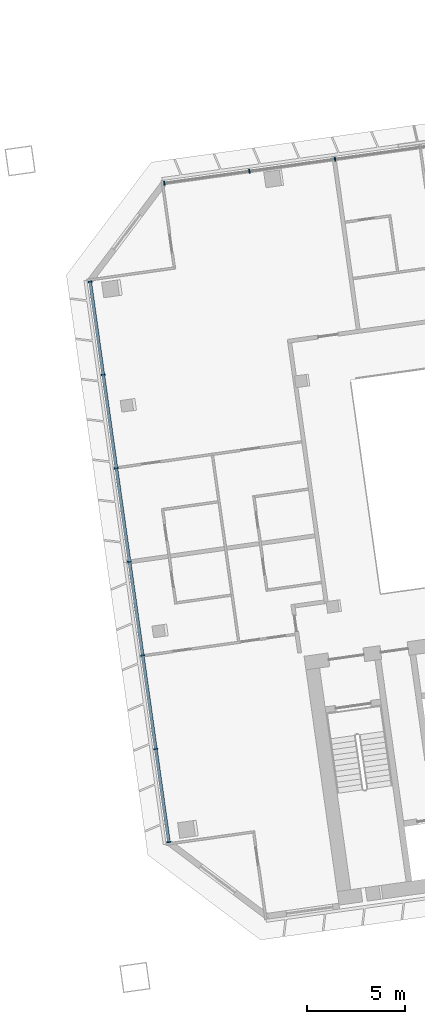
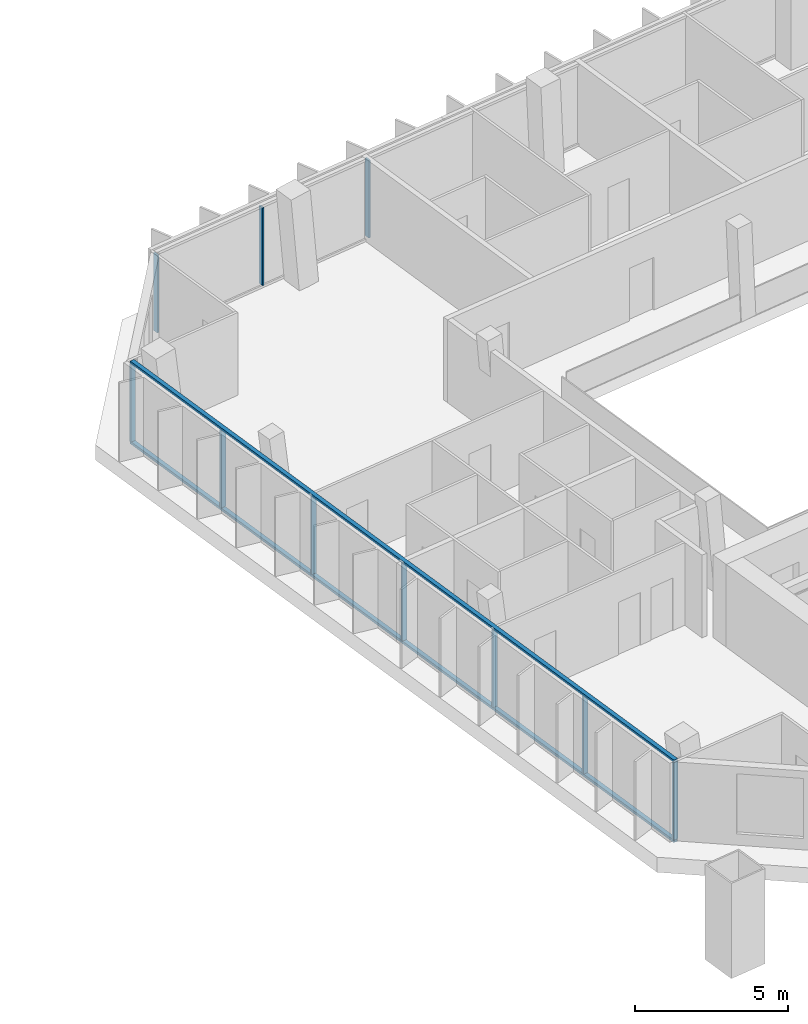
# One storey, part 9 of 29: 12 members, 2 elements without a shape of their own.
"""IFC4 building model written with IfcOpenShell, lengths in metres."""

from ifc_helpers import new_model, si_unit, direction, frame, origin, origin_2d, place, context, subcontext, project, spatial, rectangle, extrude, material, material_profile, profile_set, type_object, element, aggregate, save


model = new_model("IFC4")

# Units and contexts
model_context = context("Model", 3, precision=1e-05, world=origin(), true_north=direction((0.0, 1.0)))
body_context = subcontext(model_context, "Body", "Model", "MODEL_VIEW")
ifc_project = project(units=[si_unit("LENGTHUNIT", "METRE"), si_unit("AREAUNIT", "SQUARE_METRE"), si_unit("VOLUMEUNIT", "CUBIC_METRE"), si_unit("PLANEANGLEUNIT", "RADIAN"), si_unit("MASSUNIT", "GRAM", prefix="KILO")], contexts=[model_context])

# Site, building, storey
site_placement = place(None, origin())
site = spatial("IfcSite", under=ifc_project, at=site_placement, CompositionType="ELEMENT")
building_placement = place(site_placement, origin())
building = spatial("IfcBuilding", under=site, at=building_placement, Name="Mirante Cascada Hotel Towers", CompositionType="ELEMENT")
storey_placement = place(building_placement, frame((0.0, 0.0, 206.8)))
storey = spatial("IfcBuildingStorey", under=building, at=storey_placement, Name="L49", CompositionType="ELEMENT", Elevation=206.8)

# Curtain wall, members
ifc_material_1 = material(Name="Aluminium mullion and transom frame with clear laminated glass", Category="aluminium")
curtain_wall_type_1 = type_object("IfcCurtainWallType", Name="Ribbon curtain wall ECW1", PredefinedType="NOTDEFINED", material=ifc_material_1)
curtain_wall_1_placement = place(storey_placement, origin())
curtain_wall_1 = element("IfcCurtainWall", 1, at=curtain_wall_1_placement, inside=storey, type_object=curtain_wall_type_1, Name="Front ribbon wall T2 L49", PredefinedType="NOTDEFINED")
ifc_material_2 = material(Name="Anodised aluminium extrusion", Category="aluminium")
ifc_material_profile_1 = material_profile(ifc_material_2, rectangle(XDim=0.2, YDim=0.065, at=origin_2d()), Name="ECW1 MULLION 65x200")
ifc_profile_set_1 = profile_set([ifc_material_profile_1], Name="Anodised aluminium extrusion")
member_type_1 = type_object("IfcMemberType", Name="ECW1 mullion 65x200", PredefinedType="MULLION", material=ifc_profile_set_1)
member_1_placement = place(storey_placement, frame((37.0682, 18.0286, 0.1), z_axis=(0.0, 0.0, 1.0), x_axis=(0.1391731, -0.9902681, 0.0)))
member_1 = element("IfcMember", 2, at=member_1_placement, type_object=member_type_1, Name="ECW1 mullion 10", PredefinedType="MULLION", context=body_context, shape_type="SweptSolid", body=[
    extrude(rectangle(XDim=0.2, YDim=0.065, at=origin_2d()), origin(), (0.0, 0.0, 1.0), 3.1),
])
member_2_placement = place(storey_placement, frame((32.7054, 17.4155, 0.1), z_axis=(0.0, 0.0, 1.0), x_axis=(0.1391731, -0.9902681, 0.0)))
member_2 = element("IfcMember", 3, at=member_2_placement, type_object=member_type_1, Name="ECW1 mullion 11", PredefinedType="MULLION", context=body_context, shape_type="SweptSolid", body=[
    extrude(rectangle(XDim=0.2, YDim=0.065, at=origin_2d()), origin(), (0.0, 0.0, 1.0), 3.1),
])
member_3_placement = place(storey_placement, frame((28.3748, 16.8068, 0.1), z_axis=(0.0, 0.0, 1.0), x_axis=(0.1391731, -0.9902681, 0.0)))
member_3 = element("IfcMember", 4, at=member_3_placement, type_object=member_type_1, Name="ECW1 mullion 12", PredefinedType="MULLION", context=body_context, shape_type="SweptSolid", body=[
    extrude(rectangle(XDim=0.2, YDim=0.065, at=origin_2d()), origin(), (0.0, 0.0, 1.0), 3.1),
])
aggregate(curtain_wall_1, [member_1, member_2, member_3])

ifc_material_3 = material(Name="Aluminium mullion and transom frame with clear laminated glass", Category="aluminium")
curtain_wall_type_2 = type_object("IfcCurtainWallType", Name="End ribbon curtain wall ECW2", PredefinedType="NOTDEFINED", material=ifc_material_3)
curtain_wall_2_placement = place(storey_placement, origin())
curtain_wall_2 = element("IfcCurtainWall", 5, at=curtain_wall_2_placement, inside=storey, type_object=curtain_wall_type_2, Name="Inner end wall T2 L49", PredefinedType="NOTDEFINED")
ifc_material_4 = material(Name="Anodised aluminium extrusion", Category="aluminium")
ifc_material_profile_2 = material_profile(ifc_material_4, rectangle(XDim=0.2, YDim=0.065, at=origin_2d()), Name="ECW2 MULLION 65x200")
ifc_profile_set_2 = profile_set([ifc_material_profile_2], Name="Anodised aluminium extrusion")
member_type_2 = type_object("IfcMemberType", Name="ECW2 mullion 65x200", PredefinedType="MULLION", material=ifc_profile_set_2)
member_4_placement = place(storey_placement, frame((24.5919, 11.7869, 0.1), z_axis=(0.0, 0.0, 1.0), x_axis=(0.9902681, 0.1391731, 0.0)))
member_4 = element("IfcMember", 6, at=member_4_placement, type_object=member_type_2, Name="ECW2 mullion 1", PredefinedType="MULLION", context=body_context, shape_type="SweptSolid", body=[
    extrude(rectangle(XDim=0.2, YDim=0.065, at=origin_2d()), origin(), (0.0, 0.0, 1.0), 3.1),
])
member_5_placement = place(storey_placement, frame((25.2572, 7.0533, 0.1), z_axis=(0.0, 0.0, 1.0), x_axis=(0.9902681, 0.1391731, 0.0)))
member_5 = element("IfcMember", 7, at=member_5_placement, type_object=member_type_2, Name="ECW2 mullion 2", PredefinedType="MULLION", context=body_context, shape_type="SweptSolid", body=[
    extrude(rectangle(XDim=0.2, YDim=0.065, at=origin_2d()), origin(), (0.0, 0.0, 1.0), 3.1),
])
member_6_placement = place(storey_placement, frame((25.927, 2.2875, 0.1), z_axis=(0.0, 0.0, 1.0), x_axis=(0.9902681, 0.1391731, 0.0)))
member_6 = element("IfcMember", 8, at=member_6_placement, type_object=member_type_2, Name="ECW2 mullion 3", PredefinedType="MULLION", context=body_context, shape_type="SweptSolid", body=[
    extrude(rectangle(XDim=0.2, YDim=0.065, at=origin_2d()), origin(), (0.0, 0.0, 1.0), 3.1),
])
member_7_placement = place(storey_placement, frame((26.5968, -2.4783, 0.1), z_axis=(0.0, 0.0, 1.0), x_axis=(0.9902681, 0.1391731, 0.0)))
member_7 = element("IfcMember", 9, at=member_7_placement, type_object=member_type_2, Name="ECW2 mullion 4", PredefinedType="MULLION", context=body_context, shape_type="SweptSolid", body=[
    extrude(rectangle(XDim=0.2, YDim=0.065, at=origin_2d()), origin(), (0.0, 0.0, 1.0), 3.1),
])
member_8_placement = place(storey_placement, frame((27.2666, -7.2441, 0.1), z_axis=(0.0, 0.0, 1.0), x_axis=(0.9902681, 0.1391731, 0.0)))
member_8 = element("IfcMember", 10, at=member_8_placement, type_object=member_type_2, Name="ECW2 mullion 5", PredefinedType="MULLION", context=body_context, shape_type="SweptSolid", body=[
    extrude(rectangle(XDim=0.2, YDim=0.065, at=origin_2d()), origin(), (0.0, 0.0, 1.0), 3.1),
])
member_9_placement = place(storey_placement, frame((27.9364, -12.0099, 0.1), z_axis=(0.0, 0.0, 1.0), x_axis=(0.9902681, 0.1391731, 0.0)))
member_9 = element("IfcMember", 11, at=member_9_placement, type_object=member_type_2, Name="ECW2 mullion 6", PredefinedType="MULLION", context=body_context, shape_type="SweptSolid", body=[
    extrude(rectangle(XDim=0.2, YDim=0.065, at=origin_2d()), origin(), (0.0, 0.0, 1.0), 3.1),
])
member_10_placement = place(storey_placement, frame((28.6016, -16.7435, 0.1), z_axis=(0.0, 0.0, 1.0), x_axis=(0.9902681, 0.1391731, 0.0)))
member_10 = element("IfcMember", 12, at=member_10_placement, type_object=member_type_2, Name="ECW2 mullion 7", PredefinedType="MULLION", context=body_context, shape_type="SweptSolid", body=[
    extrude(rectangle(XDim=0.2, YDim=0.065, at=origin_2d()), origin(), (0.0, 0.0, 1.0), 3.1),
])
ifc_material_5 = material(Name="Anodised aluminium extrusion", Category="aluminium")
ifc_material_profile_3 = material_profile(ifc_material_5, rectangle(XDim=0.16, YDim=0.1, at=origin_2d()), Name="ECW2 TRANSOM 100x160")
ifc_profile_set_3 = profile_set([ifc_material_profile_3], Name="Anodised aluminium extrusion")
member_type_3 = type_object("IfcMemberType", Name="ECW2 transom 100x160", PredefinedType="USERDEFINED", material=ifc_profile_set_3)
member_11_placement = place(storey_placement, frame((24.5874, 11.8191, 0.05), z_axis=(0.1391757, -0.9902677, 0.0), x_axis=(0.9902677, 0.1391757, 0.0)))
member_11 = element("IfcMember", 13, at=member_11_placement, type_object=member_type_3, Name="ECW2 sill transom", ObjectType="TRANSOM", PredefinedType="USERDEFINED", context=body_context, shape_type="SweptSolid", body=[
    extrude(rectangle(XDim=0.16, YDim=0.1, at=origin_2d()), origin(), (0.0, 0.0, 1.0), 28.8757),
])
member_12_placement = place(storey_placement, frame((24.5874, 11.8191, 3.25), z_axis=(0.1391757, -0.9902677, 0.0), x_axis=(0.9902677, 0.1391757, 0.0)))
member_12 = element("IfcMember", 14, at=member_12_placement, type_object=member_type_3, Name="ECW2 head transom", ObjectType="TRANSOM", PredefinedType="USERDEFINED", context=body_context, shape_type="SweptSolid", body=[
    extrude(rectangle(XDim=0.16, YDim=0.1, at=origin_2d()), origin(), (0.0, 0.0, 1.0), 28.8757),
])
aggregate(curtain_wall_2, [member_11, member_12, member_4, member_5, member_6, member_7, member_8, member_9, member_10])

save(model, "model.ifc")
